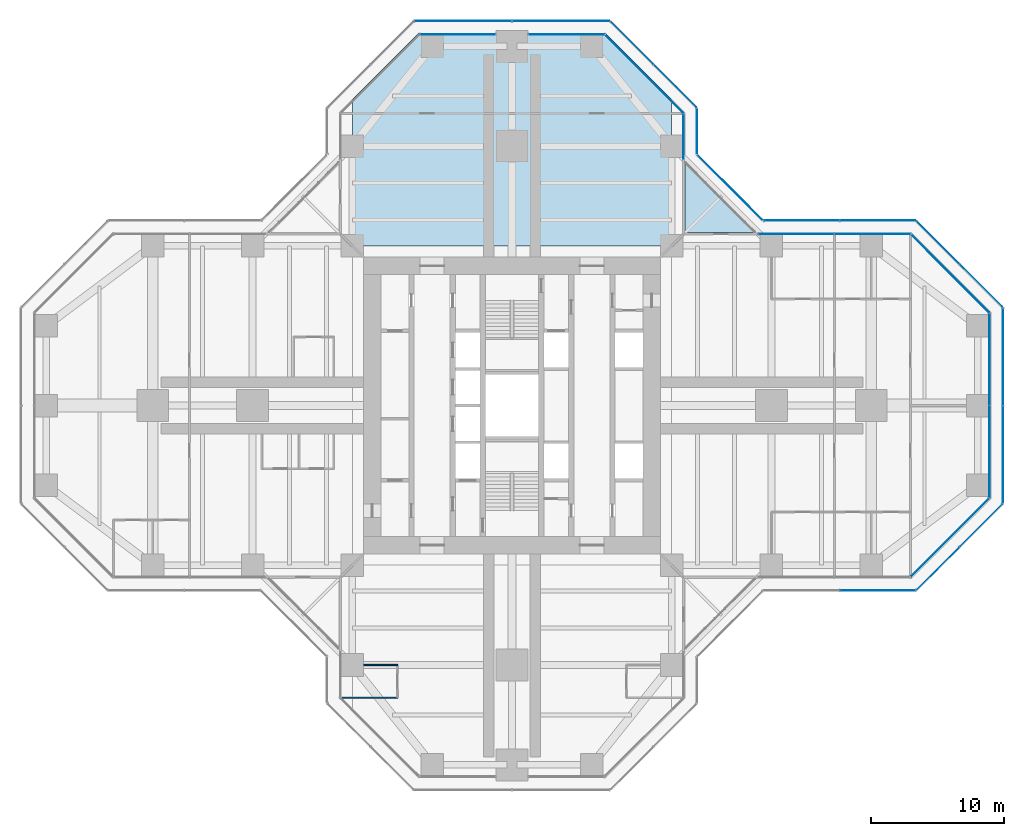
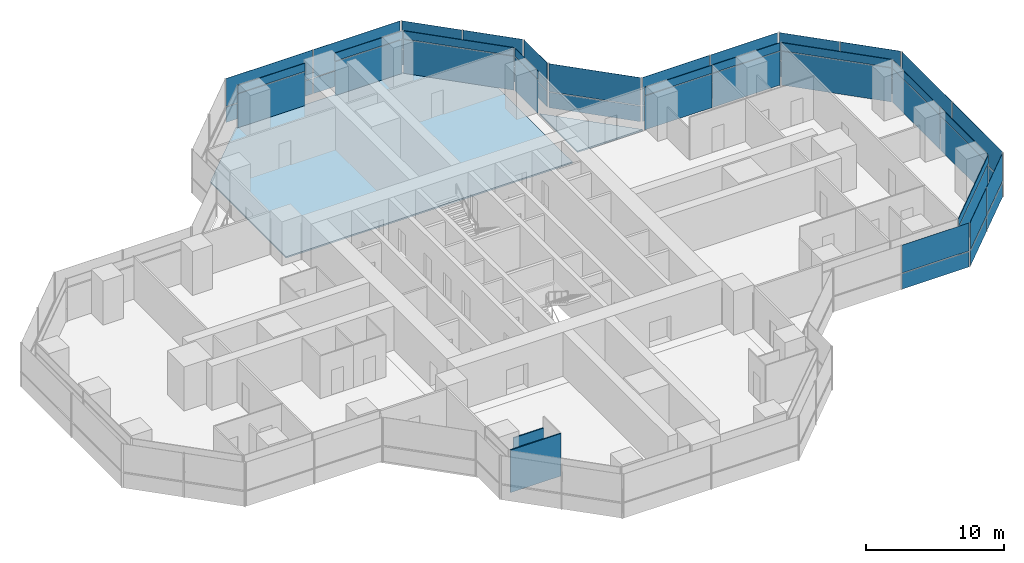
# One storey, part 14 of 20: 50 plates, 2 slabs, 2 walls, 17 elements without a shape of their own.
"""IFC4 building model written with IfcOpenShell, lengths in metres."""

from ifc_helpers import new_model, si_unit, direction, frame, frame_2d, origin, origin_2d, place, context, subcontext, project, spatial, polyline, rectangle, outline, extrude, material, layer, layer_set, type_object, element, aggregate, save


model = new_model("IFC4")

# Units and contexts
model_context = context("Model", 3, precision=1e-05, world=origin(), true_north=direction((0.0, 1.0)))
body_context = subcontext(model_context, "Body", "Model", "MODEL_VIEW")
ifc_project = project(units=[si_unit("LENGTHUNIT", "METRE"), si_unit("AREAUNIT", "SQUARE_METRE"), si_unit("VOLUMEUNIT", "CUBIC_METRE"), si_unit("PLANEANGLEUNIT", "RADIAN"), si_unit("MASSUNIT", "GRAM", prefix="KILO")], contexts=[model_context])

# Site, building, storey
site_placement = place(None, origin())
site = spatial("IfcSite", under=ifc_project, at=site_placement, CompositionType="ELEMENT")
building_placement = place(site_placement, origin())
building = spatial("IfcBuilding", under=site, at=building_placement, Name="Mizan Broadcast Tower", CompositionType="ELEMENT")
storey_placement = place(building_placement, frame((0.0, 0.0, 135.89990234375)))
storey = spatial("IfcBuildingStorey", under=building, at=storey_placement, Name="L30", CompositionType="ELEMENT", Elevation=135.89990234375)

# Slab
ifc_material_1 = material(Name="Concrete C32/40", Category="concrete")
ifc_layer_1 = layer(ifc_material_1, 0.1298828125)
ifc_layer_set_1 = layer_set([ifc_layer_1], Name="Concrete C32/40")
slab_type_1 = type_object("IfcSlabType", Name="COMPOSITE DECK SLAB 130", PredefinedType="FLOOR", material=ifc_layer_set_1)
slab_1_placement = place(storey_placement, frame((0.0, 0.0, -0.1298828125)))
element("IfcSlab", 1, at=slab_1_placement, inside=storey, type_object=slab_type_1, Name="Floor slab L30 north arm", PredefinedType="FLOOR", context=body_context, shape_type="SweptSolid", body=[
    extrude(outline(polyline([(-7.0, 28.0), (-12.0, 23.0), (-12.0, 12.0), (12.0, 12.0), (12.0, 23.0), (7.0, 28.0), (-7.0, 28.0)])), origin(), (0.0, 0.0, 1.0), 0.1298828125),
])

# Curtain wall, plate
ifc_material_2 = material(Name="Aluminium framed glazing", Category="aluminium")
curtain_wall_type_1 = type_object("IfcCurtainWallType", Name="INNER SKIN MID ZONE", PredefinedType="USERDEFINED", material=ifc_material_2)
curtain_wall_1_placement = place(storey_placement, origin())
curtain_wall_1 = element("IfcCurtainWall", 2, at=curtain_wall_1_placement, inside=storey, type_object=curtain_wall_type_1, Name="Inner skin mid zone L30 E chamfer", ObjectType="INNER SKIN MID ZONE", PredefinedType="USERDEFINED")
ifc_material_3 = material(Name="Double glazing, clear low-e", Category="glass")
ifc_layer_2 = layer(ifc_material_3, 0.028076171875)
ifc_layer_set_2 = layer_set([ifc_layer_2], Name="Double glazing, clear low-e")
plate_type_1 = type_object("IfcPlateType", Name="INNER SKIN GLAZING UNIT", PredefinedType="CURTAIN_PANEL", material=ifc_layer_set_2)
plate_1_placement = place(storey_placement, frame((32.92919921875, -9.92919921875, 0.0), z_axis=(0.0, 0.0, 1.0), x_axis=(0.707106781187, 0.707106781187, 0.0)))
plate_1 = element("IfcPlate", 3, at=plate_1_placement, type_object=plate_type_1, Name="Inner skin mid zone L30 E chamfer panel 1.1", PredefinedType="CURTAIN_PANEL", context=body_context, shape_type="SweptSolid", body=[
    extrude(rectangle(XDim=8.282470703125, YDim=0.028076171875, at=origin_2d()), origin(), (0.0, 0.0, 1.0), 3.0),
])

# Curtain wall, plates
curtain_wall_2_placement = place(storey_placement, origin())
curtain_wall_2 = element("IfcCurtainWall", 4, at=curtain_wall_2_placement, inside=storey, type_object=curtain_wall_type_1, Name="Inner skin mid zone L30 E end", ObjectType="INNER SKIN MID ZONE", PredefinedType="USERDEFINED")
plate_2_placement = place(storey_placement, frame((35.89990234375, -3.46435546875, 0.0), z_axis=(0.0, 0.0, 1.0), x_axis=(0.0, 1.0, 0.0)))
plate_2 = element("IfcPlate", 5, at=plate_2_placement, type_object=plate_type_1, Name="Inner skin mid zone L30 E end panel 1.1", PredefinedType="CURTAIN_PANEL", context=body_context, shape_type="SweptSolid", body=[
    extrude(rectangle(XDim=6.86865234375, YDim=0.028076171875, at=origin_2d()), origin(), (0.0, 0.0, 1.0), 3.0),
])
plate_3_placement = place(storey_placement, frame((35.89990234375, 3.46435546875, 0.0), z_axis=(0.0, 0.0, 1.0), x_axis=(0.0, 1.0, 0.0)))
plate_3 = element("IfcPlate", 6, at=plate_3_placement, type_object=plate_type_1, Name="Inner skin mid zone L30 E end panel 2.1", PredefinedType="CURTAIN_PANEL", context=body_context, shape_type="SweptSolid", body=[
    extrude(rectangle(XDim=6.86865234375, YDim=0.028076171875, at=origin_2d()), origin(), (0.0, 0.0, 1.0), 3.0),
])

# Curtain wall, plate
curtain_wall_3_placement = place(storey_placement, origin())
curtain_wall_3 = element("IfcCurtainWall", 7, at=curtain_wall_3_placement, inside=storey, type_object=curtain_wall_type_1, Name="Inner skin mid zone L30 E chamfer", ObjectType="INNER SKIN MID ZONE", PredefinedType="USERDEFINED")
plate_4_placement = place(storey_placement, frame((32.92919921875, 9.92919921875, 0.0), z_axis=(0.0, 0.0, 1.0), x_axis=(-0.707106781187, 0.707106781187, 0.0)))
plate_4 = element("IfcPlate", 8, at=plate_4_placement, type_object=plate_type_1, Name="Inner skin mid zone L30 E chamfer panel 1.1", PredefinedType="CURTAIN_PANEL", context=body_context, shape_type="SweptSolid", body=[
    extrude(rectangle(XDim=8.282470703125, YDim=0.028076171875, at=origin_2d()), origin(), (0.0, 0.0, 1.0), 3.0),
])

# Curtain wall, plates
curtain_wall_4_placement = place(storey_placement, origin())
curtain_wall_4 = element("IfcCurtainWall", 9, at=curtain_wall_4_placement, inside=storey, type_object=curtain_wall_type_1, Name="Inner skin mid zone L30 E side", ObjectType="INNER SKIN MID ZONE", PredefinedType="USERDEFINED")
plate_5_placement = place(storey_placement, frame((27.078857421875, 12.89990234375, 0.0), z_axis=(0.0, 0.0, 1.0), x_axis=(-1.0, 0.0, 0.0)))
plate_5 = element("IfcPlate", 10, at=plate_5_placement, type_object=plate_type_1, Name="Inner skin mid zone L30 E side panel 1.1", PredefinedType="CURTAIN_PANEL", context=body_context, shape_type="SweptSolid", body=[
    extrude(rectangle(XDim=5.639404296875, YDim=0.028076171875, at=origin_2d()), origin(), (0.0, 0.0, 1.0), 3.0),
])
plate_6_placement = place(storey_placement, frame((21.379638671875, 12.89990234375, 0.0), z_axis=(0.0, 0.0, 1.0), x_axis=(-1.0, 0.0, 0.0)))
plate_6 = element("IfcPlate", 11, at=plate_6_placement, type_object=plate_type_1, Name="Inner skin mid zone L30 E side panel 2.1", PredefinedType="CURTAIN_PANEL", context=body_context, shape_type="SweptSolid", body=[
    extrude(rectangle(XDim=5.639404296875, YDim=0.028076171875, at=origin_2d()), origin(), (0.0, 0.0, 1.0), 3.0),
])

# Curtain wall, plate
curtain_wall_5_placement = place(storey_placement, origin())
curtain_wall_5 = element("IfcCurtainWall", 12, at=curtain_wall_5_placement, inside=storey, type_object=curtain_wall_type_1, Name="Inner skin mid zone L30 N side", ObjectType="INNER SKIN MID ZONE", PredefinedType="USERDEFINED")
plate_7_placement = place(storey_placement, frame((12.89990234375, 20.229248046875, 0.0), z_axis=(0.0, 0.0, 1.0), x_axis=(0.0, 1.0, 0.0)))
plate_7 = element("IfcPlate", 13, at=plate_7_placement, type_object=plate_type_1, Name="Inner skin mid zone L30 N side panel 1.1", PredefinedType="CURTAIN_PANEL", context=body_context, shape_type="SweptSolid", body=[
    extrude(rectangle(XDim=3.338623046875, YDim=0.028076171875, at=origin_2d()), origin(), (0.0, 0.0, 1.0), 3.0),
])

curtain_wall_6_placement = place(storey_placement, origin())
curtain_wall_6 = element("IfcCurtainWall", 14, at=curtain_wall_6_placement, inside=storey, type_object=curtain_wall_type_1, Name="Inner skin mid zone L30 N chamfer", ObjectType="INNER SKIN MID ZONE", PredefinedType="USERDEFINED")
plate_8_placement = place(storey_placement, frame((9.92919921875, 24.92919921875, 0.0), z_axis=(0.0, 0.0, 1.0), x_axis=(-0.707106781187, 0.707106781187, 0.0)))
plate_8 = element("IfcPlate", 15, at=plate_8_placement, type_object=plate_type_1, Name="Inner skin mid zone L30 N chamfer panel 1.1", PredefinedType="CURTAIN_PANEL", context=body_context, shape_type="SweptSolid", body=[
    extrude(rectangle(XDim=8.282470703125, YDim=0.028076171875, at=origin_2d()), origin(), (0.0, 0.0, 1.0), 3.0),
])

curtain_wall_7_placement = place(storey_placement, origin())
curtain_wall_7 = element("IfcCurtainWall", 16, at=curtain_wall_7_placement, inside=storey, type_object=curtain_wall_type_1, Name="Inner skin mid zone L30 N end", ObjectType="INNER SKIN MID ZONE", PredefinedType="USERDEFINED")
plate_9_placement = place(storey_placement, frame((4.079345703125, 27.89990234375, 0.0), z_axis=(0.0, 0.0, 1.0), x_axis=(-1.0, 0.0, 0.0)))
plate_9 = element("IfcPlate", 17, at=plate_9_placement, type_object=plate_type_1, Name="Inner skin mid zone L30 N end panel 1.1", PredefinedType="CURTAIN_PANEL", context=body_context, shape_type="SweptSolid", body=[
    extrude(rectangle(XDim=5.638671875, YDim=0.028076171875, at=origin_2d()), origin(), (0.0, 0.0, 1.0), 3.0),
])

curtain_wall_8_placement = place(storey_placement, origin())
curtain_wall_8 = element("IfcCurtainWall", 18, at=curtain_wall_8_placement, inside=storey, type_object=curtain_wall_type_1, Name="Inner skin mid zone L30 N end", ObjectType="INNER SKIN MID ZONE", PredefinedType="USERDEFINED")
plate_10_placement = place(storey_placement, frame((-4.079345703125, 27.89990234375, 0.0), z_axis=(0.0, 0.0, 1.0), x_axis=(-1.0, 0.0, 0.0)))
plate_10 = element("IfcPlate", 19, at=plate_10_placement, type_object=plate_type_1, Name="Inner skin mid zone L30 N end panel 1.1", PredefinedType="CURTAIN_PANEL", context=body_context, shape_type="SweptSolid", body=[
    extrude(rectangle(XDim=5.638671875, YDim=0.028076171875, at=origin_2d()), origin(), (0.0, 0.0, 1.0), 3.0),
])

# Plate
ifc_material_4 = material(Name="Insulated aluminium spandrel panel, pale anodised", Category="aluminium")
ifc_layer_3 = layer(ifc_material_4, 0.050048828125)
ifc_layer_set_3 = layer_set([ifc_layer_3], Name="Insulated aluminium spandrel panel, pale anodised")
plate_type_2 = type_object("IfcPlateType", Name="INNER SKIN SPANDREL PANEL", PredefinedType="CURTAIN_PANEL", material=ifc_layer_set_3)
plate_11_placement = place(storey_placement, frame((32.92919921875, -9.92919921875, 3.06005859375), z_axis=(0.0, 0.0, 1.0), x_axis=(0.707106781187, 0.707106781187, 0.0)))
plate_11 = element("IfcPlate", 20, at=plate_11_placement, type_object=plate_type_2, Name="Inner skin mid zone L30 E chamfer panel 1.2", PredefinedType="CURTAIN_PANEL", context=body_context, shape_type="SweptSolid", body=[
    extrude(rectangle(XDim=8.282470703125, YDim=0.050048828125, at=origin_2d()), origin(), (0.0, 0.0, 1.0), 0.7099609375),
])

aggregate(curtain_wall_1, [plate_1, plate_11])

plate_12_placement = place(storey_placement, frame((35.89990234375, -3.46435546875, 3.06005859375), z_axis=(0.0, 0.0, 1.0), x_axis=(0.0, 1.0, 0.0)))
plate_12 = element("IfcPlate", 21, at=plate_12_placement, type_object=plate_type_2, Name="Inner skin mid zone L30 E end panel 1.2", PredefinedType="CURTAIN_PANEL", context=body_context, shape_type="SweptSolid", body=[
    extrude(rectangle(XDim=6.86865234375, YDim=0.050048828125, at=origin_2d()), origin(), (0.0, 0.0, 1.0), 0.7099609375),
])

plate_13_placement = place(storey_placement, frame((35.89990234375, 3.46435546875, 3.06005859375), z_axis=(0.0, 0.0, 1.0), x_axis=(0.0, 1.0, 0.0)))
plate_13 = element("IfcPlate", 22, at=plate_13_placement, type_object=plate_type_2, Name="Inner skin mid zone L30 E end panel 2.2", PredefinedType="CURTAIN_PANEL", context=body_context, shape_type="SweptSolid", body=[
    extrude(rectangle(XDim=6.86865234375, YDim=0.050048828125, at=origin_2d()), origin(), (0.0, 0.0, 1.0), 0.7099609375),
])

aggregate(curtain_wall_2, [plate_2, plate_12, plate_3, plate_13])

plate_14_placement = place(storey_placement, frame((32.92919921875, 9.92919921875, 3.06005859375), z_axis=(0.0, 0.0, 1.0), x_axis=(-0.707106781187, 0.707106781187, 0.0)))
plate_14 = element("IfcPlate", 23, at=plate_14_placement, type_object=plate_type_2, Name="Inner skin mid zone L30 E chamfer panel 1.2", PredefinedType="CURTAIN_PANEL", context=body_context, shape_type="SweptSolid", body=[
    extrude(rectangle(XDim=8.282470703125, YDim=0.050048828125, at=origin_2d()), origin(), (0.0, 0.0, 1.0), 0.7099609375),
])

aggregate(curtain_wall_3, [plate_4, plate_14])

plate_15_placement = place(storey_placement, frame((27.078857421875, 12.89990234375, 3.06005859375), z_axis=(0.0, 0.0, 1.0), x_axis=(-1.0, 0.0, 0.0)))
plate_15 = element("IfcPlate", 24, at=plate_15_placement, type_object=plate_type_2, Name="Inner skin mid zone L30 E side panel 1.2", PredefinedType="CURTAIN_PANEL", context=body_context, shape_type="SweptSolid", body=[
    extrude(rectangle(XDim=5.639404296875, YDim=0.050048828125, at=origin_2d()), origin(), (0.0, 0.0, 1.0), 0.7099609375),
])

plate_16_placement = place(storey_placement, frame((21.379638671875, 12.89990234375, 3.06005859375), z_axis=(0.0, 0.0, 1.0), x_axis=(-1.0, 0.0, 0.0)))
plate_16 = element("IfcPlate", 25, at=plate_16_placement, type_object=plate_type_2, Name="Inner skin mid zone L30 E side panel 2.2", PredefinedType="CURTAIN_PANEL", context=body_context, shape_type="SweptSolid", body=[
    extrude(rectangle(XDim=5.639404296875, YDim=0.050048828125, at=origin_2d()), origin(), (0.0, 0.0, 1.0), 0.7099609375),
])

aggregate(curtain_wall_4, [plate_5, plate_15, plate_6, plate_16])

plate_17_placement = place(storey_placement, frame((12.89990234375, 20.229248046875, 3.06005859375), z_axis=(0.0, 0.0, 1.0), x_axis=(0.0, 1.0, 0.0)))
plate_17 = element("IfcPlate", 26, at=plate_17_placement, type_object=plate_type_2, Name="Inner skin mid zone L30 N side panel 1.2", PredefinedType="CURTAIN_PANEL", context=body_context, shape_type="SweptSolid", body=[
    extrude(rectangle(XDim=3.338623046875, YDim=0.050048828125, at=origin_2d()), origin(), (0.0, 0.0, 1.0), 0.7099609375),
])

aggregate(curtain_wall_5, [plate_7, plate_17])

plate_18_placement = place(storey_placement, frame((9.92919921875, 24.92919921875, 3.06005859375), z_axis=(0.0, 0.0, 1.0), x_axis=(-0.707106781187, 0.707106781187, 0.0)))
plate_18 = element("IfcPlate", 27, at=plate_18_placement, type_object=plate_type_2, Name="Inner skin mid zone L30 N chamfer panel 1.2", PredefinedType="CURTAIN_PANEL", context=body_context, shape_type="SweptSolid", body=[
    extrude(rectangle(XDim=8.282470703125, YDim=0.050048828125, at=origin_2d()), origin(), (0.0, 0.0, 1.0), 0.7099609375),
])

aggregate(curtain_wall_6, [plate_8, plate_18])

plate_19_placement = place(storey_placement, frame((4.079345703125, 27.89990234375, 3.06005859375), z_axis=(0.0, 0.0, 1.0), x_axis=(-1.0, 0.0, 0.0)))
plate_19 = element("IfcPlate", 28, at=plate_19_placement, type_object=plate_type_2, Name="Inner skin mid zone L30 N end panel 1.2", PredefinedType="CURTAIN_PANEL", context=body_context, shape_type="SweptSolid", body=[
    extrude(rectangle(XDim=5.638671875, YDim=0.050048828125, at=origin_2d()), origin(), (0.0, 0.0, 1.0), 0.7099609375),
])

aggregate(curtain_wall_7, [plate_9, plate_19])

plate_20_placement = place(storey_placement, frame((-4.079345703125, 27.89990234375, 3.06005859375), z_axis=(0.0, 0.0, 1.0), x_axis=(-1.0, 0.0, 0.0)))
plate_20 = element("IfcPlate", 29, at=plate_20_placement, type_object=plate_type_2, Name="Inner skin mid zone L30 N end panel 1.2", PredefinedType="CURTAIN_PANEL", context=body_context, shape_type="SweptSolid", body=[
    extrude(rectangle(XDim=5.638671875, YDim=0.050048828125, at=origin_2d()), origin(), (0.0, 0.0, 1.0), 0.7099609375),
])

aggregate(curtain_wall_8, [plate_10, plate_20])

# Curtain wall, plates
ifc_material_5 = material(Name="Aluminium framed glazing", Category="aluminium")
curtain_wall_type_2 = type_object("IfcCurtainWallType", Name="OUTER SKIN", PredefinedType="USERDEFINED", material=ifc_material_5)
curtain_wall_9_placement = place(storey_placement, origin())
curtain_wall_9 = element("IfcCurtainWall", 30, at=curtain_wall_9_placement, inside=storey, type_object=curtain_wall_type_2, Name="Outer skin L30 E chamfer", ObjectType="OUTER SKIN", PredefinedType="USERDEFINED")
ifc_material_6 = material(Name="Laminated clear glass", Category="glass")
ifc_layer_4 = layer(ifc_material_6, 0.02001953125)
ifc_layer_set_4 = layer_set([ifc_layer_4], Name="Laminated clear glass")
plate_type_3 = type_object("IfcPlateType", Name="OUTER SKIN CLEAR GLASS", PredefinedType="CURTAIN_PANEL", material=ifc_layer_set_4)
plate_21_placement = place(storey_placement, frame((32.018798828125, -12.254150390625, 0.0), z_axis=(0.0, 0.0, 1.0), x_axis=(0.707106781187, 0.707106781187, 0.0)))
plate_21 = element("IfcPlate", 31, at=plate_21_placement, type_object=plate_type_3, Name="Outer skin L30 E chamfer panel 1.1", PredefinedType="CURTAIN_PANEL", context=body_context, shape_type="SweptSolid", body=[
    extrude(rectangle(XDim=4.495361328125, YDim=0.02001953125, at=origin_2d()), origin(), (0.0, 0.0, 1.0), 1.3701171875),
])
plate_22_placement = place(storey_placement, frame((32.018798828125, -12.254150390625, 1.43017578125), z_axis=(0.0, 0.0, 1.0), x_axis=(0.707106781187, 0.707106781187, 0.0)))
plate_22 = element("IfcPlate", 32, at=plate_22_placement, type_object=plate_type_3, Name="Outer skin L30 E chamfer panel 1.2", PredefinedType="CURTAIN_PANEL", context=body_context, shape_type="SweptSolid", body=[
    extrude(rectangle(XDim=4.495361328125, YDim=0.02001953125, at=origin_2d()), origin(), (0.0, 0.0, 1.0), 2.469970703125),
])

curtain_wall_10_placement = place(storey_placement, origin())
curtain_wall_10 = element("IfcCurtainWall", 33, at=curtain_wall_10_placement, inside=storey, type_object=curtain_wall_type_2, Name="Outer skin L30 E end", ObjectType="OUTER SKIN", PredefinedType="USERDEFINED")
plate_23_placement = place(storey_placement, frame((36.89990234375, -3.66650390625, 0.0), z_axis=(0.0, 0.0, 1.0), x_axis=(0.0, 1.0, 0.0)))
plate_23 = element("IfcPlate", 34, at=plate_23_placement, type_object=plate_type_3, Name="Outer skin L30 E end panel 1.1", PredefinedType="CURTAIN_PANEL", context=body_context, shape_type="SweptSolid", body=[
    extrude(rectangle(XDim=7.252685546875, YDim=0.02001953125, at=origin_2d()), origin(), (0.0, 0.0, 1.0), 1.3701171875),
])
plate_24_placement = place(storey_placement, frame((36.89990234375, -3.66650390625, 1.43017578125), z_axis=(0.0, 0.0, 1.0), x_axis=(0.0, 1.0, 0.0)))
plate_24 = element("IfcPlate", 35, at=plate_24_placement, type_object=plate_type_3, Name="Outer skin L30 E end panel 1.2", PredefinedType="CURTAIN_PANEL", context=body_context, shape_type="SweptSolid", body=[
    extrude(rectangle(XDim=7.252685546875, YDim=0.02001953125, at=origin_2d()), origin(), (0.0, 0.0, 1.0), 2.469970703125),
])

curtain_wall_11_placement = place(storey_placement, origin())
curtain_wall_11 = element("IfcCurtainWall", 36, at=curtain_wall_11_placement, inside=storey, type_object=curtain_wall_type_2, Name="Outer skin L30 E chamfer", ObjectType="OUTER SKIN", PredefinedType="USERDEFINED")
plate_25_placement = place(storey_placement, frame((35.254150390625, 9.018798828125, 0.0), z_axis=(0.0, 0.0, 1.0), x_axis=(-0.707106781187, 0.707106781187, 0.0)))
plate_25 = element("IfcPlate", 37, at=plate_25_placement, type_object=plate_type_3, Name="Outer skin L30 E chamfer panel 1.1", PredefinedType="CURTAIN_PANEL", context=body_context, shape_type="SweptSolid", body=[
    extrude(rectangle(XDim=4.495361328125, YDim=0.02001953125, at=origin_2d()), origin(), (0.0, 0.0, 1.0), 1.3701171875),
])
plate_26_placement = place(storey_placement, frame((35.254150390625, 9.018798828125, 1.43017578125), z_axis=(0.0, 0.0, 1.0), x_axis=(-0.707106781187, 0.707106781187, 0.0)))
plate_26 = element("IfcPlate", 38, at=plate_26_placement, type_object=plate_type_3, Name="Outer skin L30 E chamfer panel 1.2", PredefinedType="CURTAIN_PANEL", context=body_context, shape_type="SweptSolid", body=[
    extrude(rectangle(XDim=4.495361328125, YDim=0.02001953125, at=origin_2d()), origin(), (0.0, 0.0, 1.0), 2.469970703125),
])

curtain_wall_12_placement = place(storey_placement, origin())
curtain_wall_12 = element("IfcCurtainWall", 39, at=curtain_wall_12_placement, inside=storey, type_object=curtain_wall_type_2, Name="Outer skin L30 E side", ObjectType="OUTER SKIN", PredefinedType="USERDEFINED")
plate_27_placement = place(storey_placement, frame((27.477783203125, 13.89990234375, 0.0), z_axis=(0.0, 0.0, 1.0), x_axis=(-1.0, 0.0, 0.0)))
plate_27 = element("IfcPlate", 40, at=plate_27_placement, type_object=plate_type_3, Name="Outer skin L30 E side panel 1.1", PredefinedType="CURTAIN_PANEL", context=body_context, shape_type="SweptSolid", body=[
    extrude(rectangle(XDim=5.6298828125, YDim=0.02001953125, at=origin_2d()), origin(), (0.0, 0.0, 1.0), 1.3701171875),
])
plate_28_placement = place(storey_placement, frame((27.477783203125, 13.89990234375, 1.43017578125), z_axis=(0.0, 0.0, 1.0), x_axis=(-1.0, 0.0, 0.0)))
plate_28 = element("IfcPlate", 41, at=plate_28_placement, type_object=plate_type_3, Name="Outer skin L30 E side panel 1.2", PredefinedType="CURTAIN_PANEL", context=body_context, shape_type="SweptSolid", body=[
    extrude(rectangle(XDim=5.6298828125, YDim=0.02001953125, at=origin_2d()), origin(), (0.0, 0.0, 1.0), 2.469970703125),
])
plate_29_placement = place(storey_placement, frame((21.767822265625, 13.89990234375, 0.0), z_axis=(0.0, 0.0, 1.0), x_axis=(-1.0, 0.0, 0.0)))
plate_29 = element("IfcPlate", 42, at=plate_29_placement, type_object=plate_type_3, Name="Outer skin L30 E side panel 2.1", PredefinedType="CURTAIN_PANEL", context=body_context, shape_type="SweptSolid", body=[
    extrude(rectangle(XDim=5.6298828125, YDim=0.02001953125, at=origin_2d()), origin(), (0.0, 0.0, 1.0), 1.3701171875),
])
plate_30_placement = place(storey_placement, frame((21.767822265625, 13.89990234375, 1.43017578125), z_axis=(0.0, 0.0, 1.0), x_axis=(-1.0, 0.0, 0.0)))
plate_30 = element("IfcPlate", 43, at=plate_30_placement, type_object=plate_type_3, Name="Outer skin L30 E side panel 2.2", PredefinedType="CURTAIN_PANEL", context=body_context, shape_type="SweptSolid", body=[
    extrude(rectangle(XDim=5.6298828125, YDim=0.02001953125, at=origin_2d()), origin(), (0.0, 0.0, 1.0), 2.469970703125),
])
aggregate(curtain_wall_12, [plate_27, plate_28, plate_29, plate_30])

curtain_wall_13_placement = place(storey_placement, origin())
curtain_wall_13 = element("IfcCurtainWall", 44, at=curtain_wall_13_placement, inside=storey, type_object=curtain_wall_type_2, Name="Outer skin L30 E chamfer", ObjectType="OUTER SKIN", PredefinedType="USERDEFINED")
plate_31_placement = place(storey_placement, frame((16.386474609375, 16.386474609375, 0.0), z_axis=(0.0, 0.0, 1.0), x_axis=(-0.707106781187, 0.707106781187, 0.0)))
plate_31 = element("IfcPlate", 45, at=plate_31_placement, type_object=plate_type_3, Name="Outer skin L30 E chamfer panel 1.1", PredefinedType="CURTAIN_PANEL", context=body_context, shape_type="SweptSolid", body=[
    extrude(rectangle(XDim=6.87255859375, YDim=0.02001953125, at=origin_2d()), origin(), (0.0, 0.0, 1.0), 1.3701171875),
])
plate_32_placement = place(storey_placement, frame((16.386474609375, 16.386474609375, 1.43017578125), z_axis=(0.0, 0.0, 1.0), x_axis=(-0.707106781187, 0.707106781187, 0.0)))
plate_32 = element("IfcPlate", 46, at=plate_32_placement, type_object=plate_type_3, Name="Outer skin L30 E chamfer panel 1.2", PredefinedType="CURTAIN_PANEL", context=body_context, shape_type="SweptSolid", body=[
    extrude(rectangle(XDim=6.87255859375, YDim=0.02001953125, at=origin_2d()), origin(), (0.0, 0.0, 1.0), 2.469970703125),
])
aggregate(curtain_wall_13, [plate_31, plate_32])

curtain_wall_14_placement = place(storey_placement, origin())
curtain_wall_14 = element("IfcCurtainWall", 47, at=curtain_wall_14_placement, inside=storey, type_object=curtain_wall_type_2, Name="Outer skin L30 N side", ObjectType="OUTER SKIN", PredefinedType="USERDEFINED")
plate_33_placement = place(storey_placement, frame((13.89990234375, 20.622802734375, 0.0), z_axis=(0.0, 0.0, 1.0), x_axis=(0.0, 1.0, 0.0)))
plate_33 = element("IfcPlate", 48, at=plate_33_placement, type_object=plate_type_3, Name="Outer skin L30 N side panel 1.1", PredefinedType="CURTAIN_PANEL", context=body_context, shape_type="SweptSolid", body=[
    extrude(rectangle(XDim=3.340087890625, YDim=0.02001953125, at=origin_2d()), origin(), (0.0, 0.0, 1.0), 1.3701171875),
])
plate_34_placement = place(storey_placement, frame((13.89990234375, 20.622802734375, 1.43017578125), z_axis=(0.0, 0.0, 1.0), x_axis=(0.0, 1.0, 0.0)))
plate_34 = element("IfcPlate", 49, at=plate_34_placement, type_object=plate_type_3, Name="Outer skin L30 N side panel 1.2", PredefinedType="CURTAIN_PANEL", context=body_context, shape_type="SweptSolid", body=[
    extrude(rectangle(XDim=3.340087890625, YDim=0.02001953125, at=origin_2d()), origin(), (0.0, 0.0, 1.0), 2.469970703125),
])
aggregate(curtain_wall_14, [plate_33, plate_34])

curtain_wall_15_placement = place(storey_placement, origin())
curtain_wall_15 = element("IfcCurtainWall", 50, at=curtain_wall_15_placement, inside=storey, type_object=curtain_wall_type_2, Name="Outer skin L30 N chamfer", ObjectType="OUTER SKIN", PredefinedType="USERDEFINED")
plate_35_placement = place(storey_placement, frame((12.254150390625, 24.018798828125, 0.0), z_axis=(0.0, 0.0, 1.0), x_axis=(-0.707106781187, 0.707106781187, 0.0)))
plate_35 = element("IfcPlate", 51, at=plate_35_placement, type_object=plate_type_3, Name="Outer skin L30 N chamfer panel 1.1", PredefinedType="CURTAIN_PANEL", context=body_context, shape_type="SweptSolid", body=[
    extrude(rectangle(XDim=4.495361328125, YDim=0.02001953125, at=origin_2d()), origin(), (0.0, 0.0, 1.0), 1.3701171875),
])
plate_36_placement = place(storey_placement, frame((12.254150390625, 24.018798828125, 1.43017578125), z_axis=(0.0, 0.0, 1.0), x_axis=(-0.707106781187, 0.707106781187, 0.0)))
plate_36 = element("IfcPlate", 52, at=plate_36_placement, type_object=plate_type_3, Name="Outer skin L30 N chamfer panel 1.2", PredefinedType="CURTAIN_PANEL", context=body_context, shape_type="SweptSolid", body=[
    extrude(rectangle(XDim=4.495361328125, YDim=0.02001953125, at=origin_2d()), origin(), (0.0, 0.0, 1.0), 2.469970703125),
])

curtain_wall_16_placement = place(storey_placement, origin())
curtain_wall_16 = element("IfcCurtainWall", 53, at=curtain_wall_16_placement, inside=storey, type_object=curtain_wall_type_2, Name="Outer skin L30 N end", ObjectType="OUTER SKIN", PredefinedType="USERDEFINED")
plate_37_placement = place(storey_placement, frame((3.66650390625, 28.89990234375, 0.0), z_axis=(0.0, 0.0, 1.0), x_axis=(-1.0, 0.0, 0.0)))
plate_37 = element("IfcPlate", 54, at=plate_37_placement, type_object=plate_type_3, Name="Outer skin L30 N end panel 1.1", PredefinedType="CURTAIN_PANEL", context=body_context, shape_type="SweptSolid", body=[
    extrude(rectangle(XDim=7.252685546875, YDim=0.02001953125, at=origin_2d()), origin(), (0.0, 0.0, 1.0), 1.3701171875),
])
plate_38_placement = place(storey_placement, frame((3.66650390625, 28.89990234375, 1.43017578125), z_axis=(0.0, 0.0, 1.0), x_axis=(-1.0, 0.0, 0.0)))
plate_38 = element("IfcPlate", 55, at=plate_38_placement, type_object=plate_type_3, Name="Outer skin L30 N end panel 1.2", PredefinedType="CURTAIN_PANEL", context=body_context, shape_type="SweptSolid", body=[
    extrude(rectangle(XDim=7.252685546875, YDim=0.02001953125, at=origin_2d()), origin(), (0.0, 0.0, 1.0), 2.469970703125),
])
plate_39_placement = place(storey_placement, frame((-3.66650390625, 28.89990234375, 0.0), z_axis=(0.0, 0.0, 1.0), x_axis=(-1.0, 0.0, 0.0)))
plate_39 = element("IfcPlate", 56, at=plate_39_placement, type_object=plate_type_3, Name="Outer skin L30 N end panel 2.1", PredefinedType="CURTAIN_PANEL", context=body_context, shape_type="SweptSolid", body=[
    extrude(rectangle(XDim=7.252685546875, YDim=0.02001953125, at=origin_2d()), origin(), (0.0, 0.0, 1.0), 1.3701171875),
])
plate_40_placement = place(storey_placement, frame((-3.66650390625, 28.89990234375, 1.43017578125), z_axis=(0.0, 0.0, 1.0), x_axis=(-1.0, 0.0, 0.0)))
plate_40 = element("IfcPlate", 57, at=plate_40_placement, type_object=plate_type_3, Name="Outer skin L30 N end panel 2.2", PredefinedType="CURTAIN_PANEL", context=body_context, shape_type="SweptSolid", body=[
    extrude(rectangle(XDim=7.252685546875, YDim=0.02001953125, at=origin_2d()), origin(), (0.0, 0.0, 1.0), 2.469970703125),
])
aggregate(curtain_wall_16, [plate_37, plate_38, plate_39, plate_40])

# Plate
ifc_material_7 = material(Name="Perforated aluminium, pale anodised", Category="aluminium")
ifc_layer_5 = layer(ifc_material_7, 0.011962890625)
ifc_layer_set_5 = layer_set([ifc_layer_5], Name="Perforated aluminium, pale anodised")
plate_type_4 = type_object("IfcPlateType", Name="OUTER SKIN PERFORATED SCREEN", PredefinedType="USERDEFINED", material=ifc_layer_set_5)
plate_41_placement = place(storey_placement, frame((35.254150390625, -9.018798828125, 0.0), z_axis=(0.0, 0.0, 1.0), x_axis=(0.707106781187, 0.707106781187, 0.0)))
plate_41 = element("IfcPlate", 58, at=plate_41_placement, type_object=plate_type_4, Name="Outer skin L30 E chamfer panel 2.1", ObjectType="SCREEN", PredefinedType="USERDEFINED", context=body_context, shape_type="SweptSolid", body=[
    extrude(rectangle(XDim=4.495361328125, YDim=0.011962890625, at=origin_2d()), origin(), (0.0, 0.0, 1.0), 1.3701171875),
])

plate_42_placement = place(storey_placement, frame((35.254150390625, -9.018798828125, 1.43017578125), z_axis=(0.0, 0.0, 1.0), x_axis=(0.707106781187, 0.707106781187, 0.0)))
plate_42 = element("IfcPlate", 59, at=plate_42_placement, type_object=plate_type_4, Name="Outer skin L30 E chamfer panel 2.2", ObjectType="SCREEN", PredefinedType="USERDEFINED", context=body_context, shape_type="SweptSolid", body=[
    extrude(rectangle(XDim=4.495361328125, YDim=0.011962890625, at=origin_2d()), origin(), (0.0, 0.0, 1.0), 2.469970703125),
])

aggregate(curtain_wall_9, [plate_21, plate_22, plate_41, plate_42])

plate_43_placement = place(storey_placement, frame((36.89990234375, 3.66650390625, 0.0), z_axis=(0.0, 0.0, 1.0), x_axis=(0.0, 1.0, 0.0)))
plate_43 = element("IfcPlate", 60, at=plate_43_placement, type_object=plate_type_4, Name="Outer skin L30 E end panel 2.1", ObjectType="SCREEN", PredefinedType="USERDEFINED", context=body_context, shape_type="SweptSolid", body=[
    extrude(rectangle(XDim=7.252685546875, YDim=0.011962890625, at=origin_2d()), origin(), (0.0, 0.0, 1.0), 1.3701171875),
])

plate_44_placement = place(storey_placement, frame((36.89990234375, 3.66650390625, 1.43017578125), z_axis=(0.0, 0.0, 1.0), x_axis=(0.0, 1.0, 0.0)))
plate_44 = element("IfcPlate", 61, at=plate_44_placement, type_object=plate_type_4, Name="Outer skin L30 E end panel 2.2", ObjectType="SCREEN", PredefinedType="USERDEFINED", context=body_context, shape_type="SweptSolid", body=[
    extrude(rectangle(XDim=7.252685546875, YDim=0.011962890625, at=origin_2d()), origin(), (0.0, 0.0, 1.0), 2.469970703125),
])

aggregate(curtain_wall_10, [plate_23, plate_24, plate_43, plate_44])

plate_45_placement = place(storey_placement, frame((32.018798828125, 12.254150390625, 0.0), z_axis=(0.0, 0.0, 1.0), x_axis=(-0.707106781187, 0.707106781187, 0.0)))
plate_45 = element("IfcPlate", 62, at=plate_45_placement, type_object=plate_type_4, Name="Outer skin L30 E chamfer panel 2.1", ObjectType="SCREEN", PredefinedType="USERDEFINED", context=body_context, shape_type="SweptSolid", body=[
    extrude(rectangle(XDim=4.495361328125, YDim=0.011962890625, at=origin_2d()), origin(), (0.0, 0.0, 1.0), 1.3701171875),
])

plate_46_placement = place(storey_placement, frame((32.018798828125, 12.254150390625, 1.43017578125), z_axis=(0.0, 0.0, 1.0), x_axis=(-0.707106781187, 0.707106781187, 0.0)))
plate_46 = element("IfcPlate", 63, at=plate_46_placement, type_object=plate_type_4, Name="Outer skin L30 E chamfer panel 2.2", ObjectType="SCREEN", PredefinedType="USERDEFINED", context=body_context, shape_type="SweptSolid", body=[
    extrude(rectangle(XDim=4.495361328125, YDim=0.011962890625, at=origin_2d()), origin(), (0.0, 0.0, 1.0), 2.469970703125),
])

aggregate(curtain_wall_11, [plate_25, plate_26, plate_45, plate_46])

plate_47_placement = place(storey_placement, frame((9.018798828125, 27.254150390625, 0.0), z_axis=(0.0, 0.0, 1.0), x_axis=(-0.707106781187, 0.707106781187, 0.0)))
plate_47 = element("IfcPlate", 64, at=plate_47_placement, type_object=plate_type_4, Name="Outer skin L30 N chamfer panel 2.1", ObjectType="SCREEN", PredefinedType="USERDEFINED", context=body_context, shape_type="SweptSolid", body=[
    extrude(rectangle(XDim=4.495361328125, YDim=0.011962890625, at=origin_2d()), origin(), (0.0, 0.0, 1.0), 1.3701171875),
])

plate_48_placement = place(storey_placement, frame((9.018798828125, 27.254150390625, 1.43017578125), z_axis=(0.0, 0.0, 1.0), x_axis=(-0.707106781187, 0.707106781187, 0.0)))
plate_48 = element("IfcPlate", 65, at=plate_48_placement, type_object=plate_type_4, Name="Outer skin L30 N chamfer panel 2.2", ObjectType="SCREEN", PredefinedType="USERDEFINED", context=body_context, shape_type="SweptSolid", body=[
    extrude(rectangle(XDim=4.495361328125, YDim=0.011962890625, at=origin_2d()), origin(), (0.0, 0.0, 1.0), 2.469970703125),
])

aggregate(curtain_wall_15, [plate_35, plate_36, plate_47, plate_48])

# Curtain wall, plates
curtain_wall_17_placement = place(storey_placement, origin())
curtain_wall_17 = element("IfcCurtainWall", 66, at=curtain_wall_17_placement, inside=storey, type_object=curtain_wall_type_2, Name="Outer skin L30 E side", ObjectType="OUTER SKIN", PredefinedType="USERDEFINED")
plate_49_placement = place(storey_placement, frame((27.477783203125, -13.89990234375, 0.0), z_axis=(0.0, 0.0, 1.0), x_axis=(1.0, 0.0, 0.0)))
plate_49 = element("IfcPlate", 67, at=plate_49_placement, type_object=plate_type_4, Name="Outer skin L30 E side panel 2.1", ObjectType="SCREEN", PredefinedType="USERDEFINED", context=body_context, shape_type="SweptSolid", body=[
    extrude(rectangle(XDim=5.6298828125, YDim=0.011962890625, at=origin_2d()), origin(), (0.0, 0.0, 1.0), 1.3701171875),
])
plate_50_placement = place(storey_placement, frame((27.477783203125, -13.89990234375, 1.43017578125), z_axis=(0.0, 0.0, 1.0), x_axis=(1.0, 0.0, 0.0)))
plate_50 = element("IfcPlate", 68, at=plate_50_placement, type_object=plate_type_4, Name="Outer skin L30 E side panel 2.2", ObjectType="SCREEN", PredefinedType="USERDEFINED", context=body_context, shape_type="SweptSolid", body=[
    extrude(rectangle(XDim=5.6298828125, YDim=0.011962890625, at=origin_2d()), origin(), (0.0, 0.0, 1.0), 2.469970703125),
])
aggregate(curtain_wall_17, [plate_49, plate_50])

# Slab
ifc_material_8 = material(Name="Concrete C32/40", Category="concrete")
ifc_layer_6 = layer(ifc_material_8, 0.1298828125)
ifc_layer_set_6 = layer_set([ifc_layer_6], Name="Concrete C32/40")
slab_type_2 = type_object("IfcSlabType", Name="WINTER GARDEN SLAB 130", PredefinedType="FLOOR", material=ifc_layer_set_6)
slab_2_placement = place(storey_placement, frame((0.0, 0.0, -0.1298828125)))
element("IfcSlab", 69, at=slab_2_placement, inside=storey, type_object=slab_type_2, Name="Winter garden slab L30 E", PredefinedType="FLOOR", context=body_context, shape_type="SweptSolid", body=[
    extrude(outline(polyline([(13.0, 13.0), (18.5, 13.0), (13.0, 18.5), (13.0, 13.0)])), origin(), (0.0, 0.0, 1.0), 0.1298828125),
])

# Walls
ifc_material_9 = material(Name="Glazed aluminium partition on aluminium track", Category="aluminium")
ifc_layer_7 = layer(ifc_material_9, 0.10009765625)
ifc_layer_set_7 = layer_set([ifc_layer_7], Name="Glazed aluminium partition on aluminium track")
wall_type = type_object("IfcWallType", Name="PARTITION GLAZED OFFICE FRONT 100", PredefinedType="PARTITIONING", material=ifc_layer_set_7)
wall_1_placement = place(storey_placement, frame((-8.60009765625, -19.5, 0.0), z_axis=(0.0, 0.0, 1.0), x_axis=(-1.0, 0.0, 0.0)))
element("IfcWall", 70, at=wall_1_placement, inside=storey, type_object=wall_type, Name="Glazed office front PT/SQN1950", PredefinedType="PARTITIONING", context=body_context, shape_type="SweptSolid", body=[
    extrude(rectangle(XDim=2.5498046875, YDim=0.10009765625, at=frame_2d((1.27490234375, 0.0))), origin(), (0.0, 0.0, 1.0), 2.77001953125),
])
wall_2_placement = place(storey_placement, frame((-8.60009765625, -21.958984375, 0.0), z_axis=(0.0, 0.0, 1.0), x_axis=(-1.0, 0.0, 0.0)))
element("IfcWall", 71, at=wall_2_placement, inside=storey, type_object=wall_type, Name="Glazed office front PT/SQN2196", PredefinedType="PARTITIONING", context=body_context, shape_type="SweptSolid", body=[
    extrude(rectangle(XDim=4.219970703125, YDim=0.10009765625, at=frame_2d((2.10986328125, 0.0))), origin(), (0.0, 0.0, 1.0), 3.77001953125),
])

save(model, "model.ifc")
